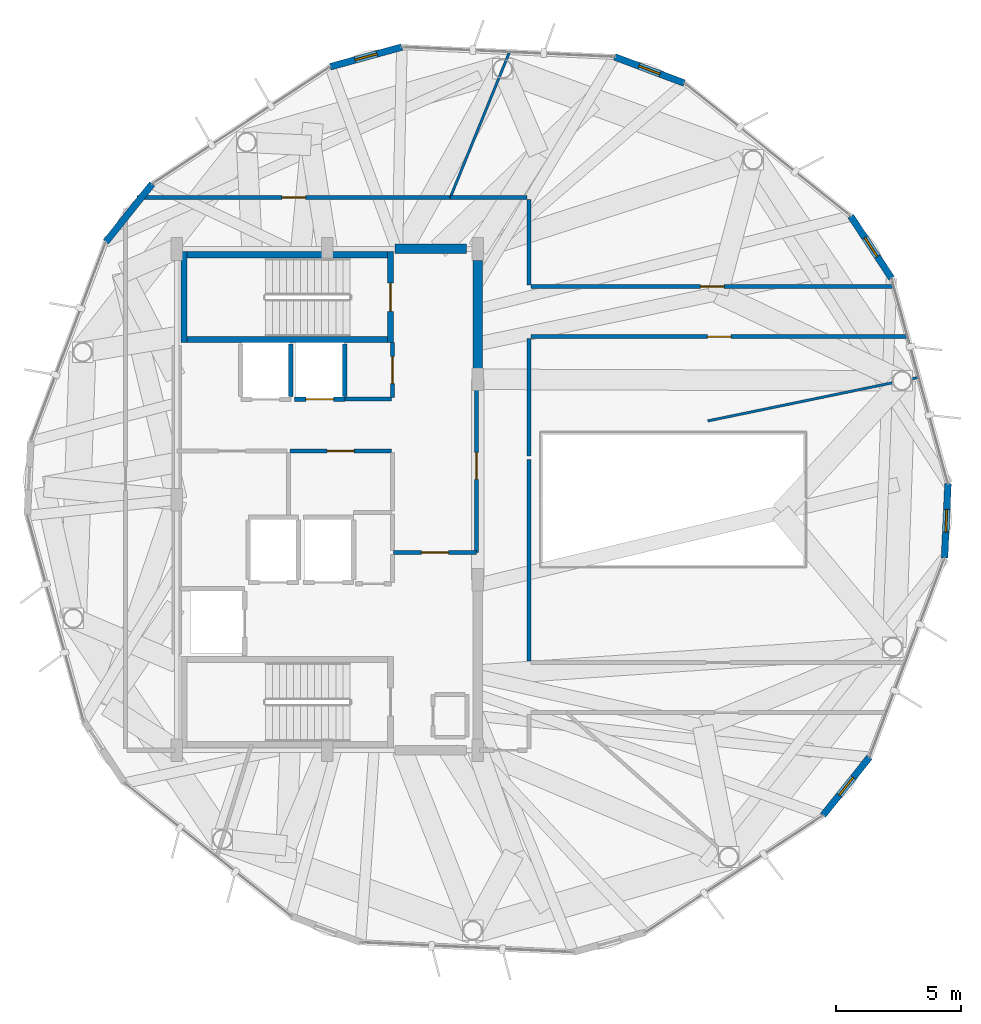
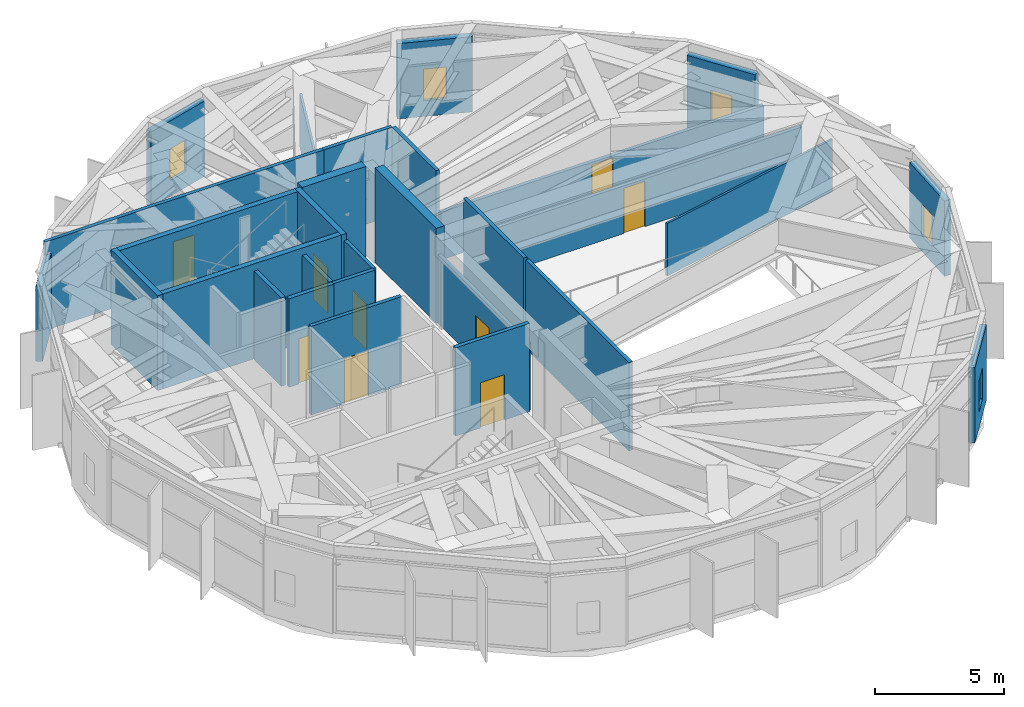
# One storey, part 23 of 27: 29 walls, 9 doors, 5 windows, 14 openings.
"""IFC4 building model written with IfcOpenShell, lengths in metres."""

from ifc_helpers import new_model, si_unit, direction, frame, frame_2d, origin, place, context, subcontext, project, spatial, rectangle, extrude, material, layer, layer_set, type_object, element, fill, save


model = new_model("IFC4")

# Units and contexts
model_context = context("Model", 3, precision=1e-05, world=origin(), true_north=direction((0.0, 1.0)))
body_context = subcontext(model_context, "Body", "Model", "MODEL_VIEW")
ifc_project = project(units=[si_unit("LENGTHUNIT", "METRE"), si_unit("AREAUNIT", "SQUARE_METRE"), si_unit("VOLUMEUNIT", "CUBIC_METRE"), si_unit("PLANEANGLEUNIT", "RADIAN"), si_unit("MASSUNIT", "GRAM", prefix="KILO")], contexts=[model_context])

# Site, building, storey
site_placement = place(None, origin())
site = spatial("IfcSite", under=ifc_project, at=site_placement, CompositionType="ELEMENT")
building_placement = place(site_placement, origin())
building = spatial("IfcBuilding", under=site, at=building_placement, Name="Soratama Intermodal Tower", CompositionType="ELEMENT")
storey_placement = place(building_placement, frame((0.0, 0.0, 288.550048828125)))
storey = spatial("IfcBuildingStorey", under=building, at=storey_placement, Name="L73", CompositionType="ELEMENT", Elevation=288.550048828125)

# Wall, opening, window
ifc_material_1 = material(Name="Concrete f'c 42 MPa", Category="concrete")
ifc_layer_1 = layer(ifc_material_1, 0.27001953125)
ifc_layer_set_1 = layer_set([ifc_layer_1], Name="Concrete f'c 42 MPa")
wall_type_1 = type_object("IfcWallType", Name="EW-CRN-270", PredefinedType="SOLIDWALL", material=ifc_layer_set_1)
wall_1_placement = place(storey_placement, frame((41.578125, 43.056640625, 0.0), z_axis=(0.0, 0.0, 1.0), x_axis=(-0.964272165629, -0.264913553056, 0.0)))
wall_1 = element("IfcWall", 1, at=wall_1_placement, inside=storey, type_object=wall_type_1, Name="L73 Corner Closure Wall 01", PredefinedType="SOLIDWALL", context=body_context, shape_type="SweptSolid", body=[
    extrude(rectangle(XDim=2.966552734375, YDim=0.27001953125, at=frame_2d((1.4833984375, 0.0))), origin(), (0.0, 0.0, 1.0), 3.573974609375),
])
opening_1_placement = place(wall_1_placement, frame((1.033203125, 0.0, 0.75)))
opening_1 = element("IfcOpeningElement", 2, at=opening_1_placement, cuts=wall_1, Name="Opening WN-6", PredefinedType="OPENING", context=body_context, shape_type="SweptSolid", body=[
    extrude(rectangle(XDim=0.89990234375, YDim=1.5, at=frame_2d((0.449951171875, 0.75))), frame((0.0, 0.14501953125, 0.0), z_axis=(0.0, -1.0, 0.0), x_axis=(1.0, 0.0, 0.0)), (0.0, 0.0, 1.0), 0.2900390625),
])
ifc_material_2 = material(Name="Double-glazed aluminium window", Category="aluminium")
window_type = type_object("IfcWindowType", Name="WN-FAC-900", PartitioningType="SINGLE_PANEL", PredefinedType="WINDOW", material=ifc_material_2)
window_1_placement = place(opening_1_placement, origin())
window_1 = element("IfcWindow", 3, at=window_1_placement, inside=storey, type_object=window_type, Name="L73 Corner Window 01", OverallHeight=1.5, OverallWidth=0.89990234375, PartitioningType="SINGLE_PANEL", PredefinedType="WINDOW", context=body_context, shape_type="SweptSolid", body=[
    extrude(rectangle(XDim=0.89990234375, YDim=1.5, at=frame_2d((0.449951171875, 0.75))), frame((0.0, 0.030029296875, 0.0), z_axis=(0.0, -1.0, 0.0), x_axis=(1.0, 0.0, 0.0)), (0.0, 0.0, 1.0), 0.06005859375),
])
fill(opening_1, window_1)

# Wall
wall_2_placement = place(storey_placement, frame((31.6181640625, 37.5966796875, 0.0), z_axis=(0.0, 0.0, 1.0), x_axis=(-0.624444087009, -0.781069511759, 0.0)))
element("IfcWall", 4, at=wall_2_placement, inside=storey, type_object=wall_type_1, Name="L73 Corner Closure Wall 02", PredefinedType="SOLIDWALL", context=body_context, shape_type="SweptSolid", body=[
    extrude(rectangle(XDim=2.96630859375, YDim=0.27001953125, at=frame_2d((1.483154296875, 0.0))), origin(), (0.0, 0.0, 1.0), 3.573974609375),
])

# Wall, opening, window
wall_3_placement = place(storey_placement, frame((58.3818359375, 12.4033203125, 0.0), z_axis=(0.0, 0.0, 1.0), x_axis=(0.624444087009, 0.781069511759, 0.0)))
wall_3 = element("IfcWall", 5, at=wall_3_placement, inside=storey, type_object=wall_type_1, Name="L73 Corner Closure Wall 07", PredefinedType="SOLIDWALL", context=body_context, shape_type="SweptSolid", body=[
    extrude(rectangle(XDim=2.96630859375, YDim=0.27001953125, at=frame_2d((1.483154296875, 0.0))), origin(), (0.0, 0.0, 1.0), 3.573974609375),
])
opening_2_placement = place(wall_3_placement, frame((1.033203125, 0.0, 0.75)))
opening_2 = element("IfcOpeningElement", 6, at=opening_2_placement, cuts=wall_3, Name="Opening WN-6", PredefinedType="OPENING", context=body_context, shape_type="SweptSolid", body=[
    extrude(rectangle(XDim=0.89990234375, YDim=1.5, at=frame_2d((0.449951171875, 0.75))), frame((0.0, 0.14501953125, 0.0), z_axis=(0.0, -1.0, 0.0), x_axis=(1.0, 0.0, 0.0)), (0.0, 0.0, 1.0), 0.2900390625),
])
window_2_placement = place(opening_2_placement, origin())
window_2 = element("IfcWindow", 7, at=window_2_placement, inside=storey, type_object=window_type, Name="L73 Corner Window 07", OverallHeight=1.5, OverallWidth=0.89990234375, PartitioningType="SINGLE_PANEL", PredefinedType="WINDOW", context=body_context, shape_type="SweptSolid", body=[
    extrude(rectangle(XDim=0.89990234375, YDim=1.5, at=frame_2d((0.449951171875, 0.75))), frame((0.0, 0.030029296875, 0.0), z_axis=(0.0, -1.0, 0.0), x_axis=(1.0, 0.0, 0.0)), (0.0, 0.0, 1.0), 0.06005859375),
])
fill(opening_2, window_2)

wall_4_placement = place(storey_placement, frame((63.230224609375, 22.674560546875, 0.0), z_axis=(0.0, 0.0, 1.0), x_axis=(0.046087078481, 0.998937426067, 0.0)))
wall_4 = element("IfcWall", 8, at=wall_4_placement, inside=storey, type_object=wall_type_1, Name="L73 Corner Closure Wall 08", PredefinedType="SOLIDWALL", context=body_context, shape_type="SweptSolid", body=[
    extrude(rectangle(XDim=2.966552734375, YDim=0.27001953125, at=frame_2d((1.4833984375, 0.0))), origin(), (0.0, 0.0, 1.0), 3.573974609375),
])
opening_3_placement = place(wall_4_placement, frame((1.033203125, 0.0, 0.75)))
opening_3 = element("IfcOpeningElement", 9, at=opening_3_placement, cuts=wall_4, Name="Opening WN-6", PredefinedType="OPENING", context=body_context, shape_type="SweptSolid", body=[
    extrude(rectangle(XDim=0.89990234375, YDim=1.5, at=frame_2d((0.449951171875, 0.75))), frame((0.0, 0.14501953125, 0.0), z_axis=(0.0, -1.0, 0.0), x_axis=(1.0, 0.0, 0.0)), (0.0, 0.0, 1.0), 0.2900390625),
])
window_3_placement = place(opening_3_placement, origin())
window_3 = element("IfcWindow", 10, at=window_3_placement, inside=storey, type_object=window_type, Name="L73 Corner Window 08", OverallHeight=1.5, OverallWidth=0.89990234375, PartitioningType="SINGLE_PANEL", PredefinedType="WINDOW", context=body_context, shape_type="SweptSolid", body=[
    extrude(rectangle(XDim=0.89990234375, YDim=1.5, at=frame_2d((0.449951171875, 0.75))), frame((0.0, 0.030029296875, 0.0), z_axis=(0.0, -1.0, 0.0), x_axis=(1.0, 0.0, 0.0)), (0.0, 0.0, 1.0), 0.06005859375),
])
fill(opening_3, window_3)

wall_5_placement = place(storey_placement, frame((61.115478515625, 33.834228515625, 0.0), z_axis=(0.0, 0.0, 1.0), x_axis=(-0.549905162687, 0.835227102081, 0.0)))
wall_5 = element("IfcWall", 11, at=wall_5_placement, inside=storey, type_object=wall_type_1, Name="L73 Corner Closure Wall 09", PredefinedType="SOLIDWALL", context=body_context, shape_type="SweptSolid", body=[
    extrude(rectangle(XDim=2.966552734375, YDim=0.27001953125, at=frame_2d((1.4833984375, 0.0))), origin(), (0.0, 0.0, 1.0), 3.573974609375),
])
opening_4_placement = place(wall_5_placement, frame((1.033203125, 0.0, 0.75)))
opening_4 = element("IfcOpeningElement", 12, at=opening_4_placement, cuts=wall_5, Name="Opening WN-6", PredefinedType="OPENING", context=body_context, shape_type="SweptSolid", body=[
    extrude(rectangle(XDim=0.89990234375, YDim=1.5, at=frame_2d((0.449951171875, 0.75))), frame((0.0, 0.14501953125, 0.0), z_axis=(0.0, -1.0, 0.0), x_axis=(1.0, 0.0, 0.0)), (0.0, 0.0, 1.0), 0.2900390625),
])
window_4_placement = place(opening_4_placement, origin())
window_4 = element("IfcWindow", 13, at=window_4_placement, inside=storey, type_object=window_type, Name="L73 Corner Window 09", OverallHeight=1.5, OverallWidth=0.89990234375, PartitioningType="SINGLE_PANEL", PredefinedType="WINDOW", context=body_context, shape_type="SweptSolid", body=[
    extrude(rectangle(XDim=0.89990234375, YDim=1.5, at=frame_2d((0.449951171875, 0.75))), frame((0.0, 0.030029296875, 0.0), z_axis=(0.0, -1.0, 0.0), x_axis=(1.0, 0.0, 0.0)), (0.0, 0.0, 1.0), 0.06005859375),
])
fill(opening_4, window_4)

wall_6_placement = place(storey_placement, frame((52.84521484375, 41.619384765625, 0.0), z_axis=(0.0, 0.0, 1.0), x_axis=(-0.935827708893, 0.352457797853, 0.0)))
wall_6 = element("IfcWall", 14, at=wall_6_placement, inside=storey, type_object=wall_type_1, Name="L73 Corner Closure Wall 10", PredefinedType="SOLIDWALL", context=body_context, shape_type="SweptSolid", body=[
    extrude(rectangle(XDim=2.966796875, YDim=0.27001953125, at=frame_2d((1.4833984375, 0.0))), origin(), (0.0, 0.0, 1.0), 3.573974609375),
])
opening_5_placement = place(wall_6_placement, frame((1.033203125, 0.0, 0.75)))
opening_5 = element("IfcOpeningElement", 15, at=opening_5_placement, cuts=wall_6, Name="Opening WN-6", PredefinedType="OPENING", context=body_context, shape_type="SweptSolid", body=[
    extrude(rectangle(XDim=0.89990234375, YDim=1.5, at=frame_2d((0.449951171875, 0.75))), frame((0.0, 0.14501953125, 0.0), z_axis=(0.0, -1.0, 0.0), x_axis=(1.0, 0.0, 0.0)), (0.0, 0.0, 1.0), 0.2900390625),
])
window_5_placement = place(opening_5_placement, origin())
window_5 = element("IfcWindow", 16, at=window_5_placement, inside=storey, type_object=window_type, Name="L73 Corner Window 10", OverallHeight=1.5, OverallWidth=0.89990234375, PartitioningType="SINGLE_PANEL", PredefinedType="WINDOW", context=body_context, shape_type="SweptSolid", body=[
    extrude(rectangle(XDim=0.89990234375, YDim=1.5, at=frame_2d((0.449951171875, 0.75))), frame((0.0, 0.030029296875, 0.0), z_axis=(0.0, -1.0, 0.0), x_axis=(1.0, 0.0, 0.0)), (0.0, 0.0, 1.0), 0.06005859375),
])
fill(opening_5, window_5)

# Wall, opening, door
ifc_material_3 = material(Name="Fire-rated gypsum stud partition", Category="concrete")
ifc_layer_2 = layer(ifc_material_3, 0.159912109375)
ifc_layer_set_2 = layer_set([ifc_layer_2], Name="Fire-rated gypsum stud partition")
wall_type_2 = type_object("IfcWallType", Name="IW-PART-R160", PredefinedType="PARTITIONING", material=ifc_layer_set_2)
wall_7_placement = place(storey_placement, frame((61.757080078125, 31.5, 0.0), z_axis=(0.0, 0.0, 1.0), x_axis=(-1.0, 0.0, 0.0)))
wall_7 = element("IfcWall", 17, at=wall_7_placement, inside=storey, type_object=wall_type_2, Name="L73 Partition W-L73-TP002", PredefinedType="PARTITIONING", context=body_context, shape_type="SweptSolid", body=[
    extrude(rectangle(XDim=15.037109375, YDim=0.159912109375, at=frame_2d((7.5185546875, 0.0))), origin(), (0.0, 0.0, 1.0), 2.264892578125),
])
opening_6_placement = place(wall_7_placement, frame((7.04296875, 0.0, 0.0)))
opening_6 = element("IfcOpeningElement", 18, at=opening_6_placement, cuts=wall_7, Name="Opening ID-3", PredefinedType="OPENING", context=body_context, shape_type="SweptSolid", body=[
    extrude(rectangle(XDim=0.949951171875, YDim=2.14990234375, at=frame_2d((0.47509765625, 1.074951171875))), frame((0.0, 0.08984375, 0.0), z_axis=(0.0, -1.0, 0.0), x_axis=(1.0, 0.0, 0.0)), (0.0, 0.0, 1.0), 0.179931640625),
])
ifc_material_4 = material(Name="Solid hardwood acoustic door", Category="wood")
door_type_1 = type_object("IfcDoorType", Name="DR-ROOM-950", OperationType="NOTDEFINED", PredefinedType="DOOR", material=ifc_material_4)
door_1_placement = place(opening_6_placement, origin())
door_1 = element("IfcDoor", 19, at=door_1_placement, inside=storey, type_object=door_type_1, Name="L73 Door D-L73-TP002", OperationType="SINGLE_SWING_LEFT", OverallHeight=2.14990234375, OverallWidth=0.949951171875, PredefinedType="DOOR", context=body_context, shape_type="SweptSolid", body=[
    extrude(rectangle(XDim=0.949951171875, YDim=2.14990234375, at=frame_2d((0.47509765625, 1.074951171875))), frame((0.0, 0.02490234375, 0.0), z_axis=(0.0, -1.0, 0.0), x_axis=(1.0, 0.0, 0.0)), (0.0, 0.0, 1.0), 0.050048828125),
])
fill(opening_6, door_1)

wall_8_placement = place(storey_placement, frame((46.719970703125, 33.5, 0.0), z_axis=(0.0, 0.0, 1.0), x_axis=(1.0, 0.0, 0.0)))
wall_8 = element("IfcWall", 20, at=wall_8_placement, inside=storey, type_object=wall_type_2, Name="L73 Partition W-L73-TP004", PredefinedType="PARTITIONING", context=body_context, shape_type="SweptSolid", body=[
    extrude(rectangle(XDim=14.487060546875, YDim=0.159912109375, at=frame_2d((7.24365234375, 0.0))), origin(), (0.0, 0.0, 1.0), 2.264892578125),
])
opening_7_placement = place(wall_8_placement, frame((6.76904296875, 0.0, 0.0)))
opening_7 = element("IfcOpeningElement", 21, at=opening_7_placement, cuts=wall_8, Name="Opening ID-3", PredefinedType="OPENING", context=body_context, shape_type="SweptSolid", body=[
    extrude(rectangle(XDim=0.949951171875, YDim=2.14990234375, at=frame_2d((0.47509765625, 1.074951171875))), frame((0.0, 0.08984375, 0.0), z_axis=(0.0, -1.0, 0.0), x_axis=(1.0, 0.0, 0.0)), (0.0, 0.0, 1.0), 0.179931640625),
])
door_2_placement = place(opening_7_placement, origin())
door_2 = element("IfcDoor", 22, at=door_2_placement, inside=storey, type_object=door_type_1, Name="L73 Door D-L73-TP004", OperationType="SINGLE_SWING_LEFT", OverallHeight=2.14990234375, OverallWidth=0.949951171875, PredefinedType="DOOR", context=body_context, shape_type="SweptSolid", body=[
    extrude(rectangle(XDim=0.949951171875, YDim=2.14990234375, at=frame_2d((0.47509765625, 1.074951171875))), frame((0.0, 0.02490234375, 0.0), z_axis=(0.0, -1.0, 0.0), x_axis=(1.0, 0.0, 0.0)), (0.0, 0.0, 1.0), 0.050048828125),
])
fill(opening_7, door_2)

wall_9_placement = place(storey_placement, frame((31.01904296875, 37.050048828125, 0.0), z_axis=(0.0, 0.0, 1.0), x_axis=(1.0, 0.0, 0.0)))
wall_9 = element("IfcWall", 23, at=wall_9_placement, inside=storey, type_object=wall_type_2, Name="L73 Partition W-L73-TP006", PredefinedType="PARTITIONING", context=body_context, shape_type="SweptSolid", body=[
    extrude(rectangle(XDim=12.489013671875, YDim=0.159912109375, at=frame_2d((6.24462890625, 0.0))), origin(), (0.0, 0.0, 1.0), 4.195068359375),
])
opening_8_placement = place(wall_9_placement, frame((5.77001953125, 0.0, 0.0)))
opening_8 = element("IfcOpeningElement", 24, at=opening_8_placement, cuts=wall_9, Name="Opening ID-3", PredefinedType="OPENING", context=body_context, shape_type="SweptSolid", body=[
    extrude(rectangle(XDim=0.949951171875, YDim=2.14990234375, at=frame_2d((0.47509765625, 1.074951171875))), frame((0.0, 0.08984375, 0.0), z_axis=(0.0, -1.0, 0.0), x_axis=(1.0, 0.0, 0.0)), (0.0, 0.0, 1.0), 0.179931640625),
])
door_3_placement = place(opening_8_placement, origin())
door_3 = element("IfcDoor", 25, at=door_3_placement, inside=storey, type_object=door_type_1, Name="L73 Door D-L73-TP006", OperationType="SINGLE_SWING_LEFT", OverallHeight=2.14990234375, OverallWidth=0.949951171875, PredefinedType="DOOR", context=body_context, shape_type="SweptSolid", body=[
    extrude(rectangle(XDim=0.949951171875, YDim=2.14990234375, at=frame_2d((0.47509765625, 1.074951171875))), frame((0.0, 0.02490234375, 0.0), z_axis=(0.0, -1.0, 0.0), x_axis=(1.0, 0.0, 0.0)), (0.0, 0.0, 1.0), 0.050048828125),
])
fill(opening_8, door_3)

# Wall
wall_10_placement = place(storey_placement, frame((46.64990234375, 26.60693359375, 0.0), z_axis=(0.0, 0.0, 1.0), x_axis=(0.0, -1.0, 0.0)))
element("IfcWall", 26, at=wall_10_placement, inside=storey, type_object=wall_type_2, Name="L73 Partition W-L73-TP008", PredefinedType="PARTITIONING", context=body_context, shape_type="SweptSolid", body=[
    extrude(rectangle(XDim=8.036865234375, YDim=0.159912109375, at=frame_2d((4.0185546875, 0.0))), origin(), (0.0, 0.0, 1.0), 4.195068359375),
])

# Wall, opening, door
wall_11_placement = place(storey_placement, frame((44.56005859375, 29.800048828125, 0.0), z_axis=(0.0, 0.0, 1.0), x_axis=(0.0, -1.0, 0.0)))
wall_11 = element("IfcWall", 27, at=wall_11_placement, inside=storey, type_object=wall_type_2, Name="L73 Partition W-L73-TP009", PredefinedType="PARTITIONING", context=body_context, shape_type="SweptSolid", body=[
    extrude(rectangle(XDim=6.91015625, YDim=0.159912109375, at=frame_2d((3.455078125, 0.0))), origin(), (0.0, 0.0, 1.0), 3.23486328125),
])
opening_9_placement = place(wall_11_placement, frame((2.9150390625, 0.0, 0.0)))
opening_9 = element("IfcOpeningElement", 28, at=opening_9_placement, cuts=wall_11, Name="Opening ID-1", PredefinedType="OPENING", context=body_context, shape_type="SweptSolid", body=[
    extrude(rectangle(XDim=1.080078125, YDim=2.14990234375, at=frame_2d((0.5400390625, 1.074951171875))), frame((0.0, 0.08984375, 0.0), z_axis=(0.0, -1.0, 0.0), x_axis=(1.0, 0.0, 0.0)), (0.0, 0.0, 1.0), 0.179931640625),
])
ifc_material_5 = material(Name="Solid hardwood acoustic door", Category="wood")
door_type_2 = type_object("IfcDoorType", Name="DR-LOB-FD60", OperationType="NOTDEFINED", PredefinedType="DOOR", material=ifc_material_5)
door_4_placement = place(opening_9_placement, origin())
door_4 = element("IfcDoor", 29, at=door_4_placement, inside=storey, type_object=door_type_2, Name="L73 Door D-L73-TP007", OperationType="SINGLE_SWING_RIGHT", OverallHeight=2.14990234375, OverallWidth=1.080078125, PredefinedType="DOOR", context=body_context, shape_type="SweptSolid", body=[
    extrude(rectangle(XDim=1.080078125, YDim=2.14990234375, at=frame_2d((0.5400390625, 1.074951171875))), frame((0.0, 0.02490234375, 0.0), z_axis=(0.0, -1.0, 0.0), x_axis=(1.0, 0.0, 0.0)), (0.0, 0.0, 1.0), 0.050048828125),
])
fill(opening_9, door_4)

# Wall
wall_12_placement = place(storey_placement, frame((46.64990234375, 31.429931640625, 0.0), z_axis=(0.0, 0.0, 1.0), x_axis=(0.0, -1.0, 0.0)))
element("IfcWall", 30, at=wall_12_placement, inside=storey, type_object=wall_type_2, Name="L73 Partition W-L73-TP012", PredefinedType="PARTITIONING", context=body_context, shape_type="SweptSolid", body=[
    extrude(rectangle(XDim=4.679931640625, YDim=0.159912109375, at=frame_2d((2.33984375, 0.0))), origin(), (0.0, 0.0, 1.0), 4.195068359375),
])

# Wall, opening, door
wall_13_placement = place(storey_placement, frame((41.159912109375, 26.93994140625, 0.0), z_axis=(0.0, 0.0, 1.0), x_axis=(-1.0, 0.0, 0.0)))
wall_13 = element("IfcWall", 31, at=wall_13_placement, inside=storey, type_object=wall_type_2, Name="L73 Partition W-L73-TP014", PredefinedType="PARTITIONING", context=body_context, shape_type="SweptSolid", body=[
    extrude(rectangle(XDim=4.0498046875, YDim=0.159912109375, at=frame_2d((2.02490234375, 0.0))), origin(), (0.0, 0.0, 1.0), 4.195068359375),
])
opening_10_placement = place(wall_13_placement, frame((1.485107421875, 0.0, 0.0)))
opening_10 = element("IfcOpeningElement", 32, at=opening_10_placement, cuts=wall_13, Name="Opening ID-1", PredefinedType="OPENING", context=body_context, shape_type="SweptSolid", body=[
    extrude(rectangle(XDim=1.080078125, YDim=2.14990234375, at=frame_2d((0.5400390625, 1.074951171875))), frame((0.0, 0.08984375, 0.0), z_axis=(0.0, -1.0, 0.0), x_axis=(1.0, 0.0, 0.0)), (0.0, 0.0, 1.0), 0.179931640625),
])
door_5_placement = place(opening_10_placement, origin())
door_5 = element("IfcDoor", 33, at=door_5_placement, inside=storey, type_object=door_type_2, Name="L73 Door D-L73-TP009", OperationType="SINGLE_SWING_RIGHT", OverallHeight=2.14990234375, OverallWidth=1.080078125, PredefinedType="DOOR", context=body_context, shape_type="SweptSolid", body=[
    extrude(rectangle(XDim=1.080078125, YDim=2.14990234375, at=frame_2d((0.5400390625, 1.074951171875))), frame((0.0, 0.02490234375, 0.0), z_axis=(0.0, -1.0, 0.0), x_axis=(1.0, 0.0, 0.0)), (0.0, 0.0, 1.0), 0.050048828125),
])
fill(opening_10, door_5)

# Walls
wall_14_placement = place(storey_placement, frame((46.64990234375, 36.97998046875, 0.0), z_axis=(0.0, 0.0, 1.0), x_axis=(0.0, -1.0, 0.0)))
element("IfcWall", 34, at=wall_14_placement, inside=storey, type_object=wall_type_2, Name="L73 Partition W-L73-TP015", PredefinedType="PARTITIONING", context=body_context, shape_type="SweptSolid", body=[
    extrude(rectangle(XDim=3.409912109375, YDim=0.159912109375, at=frame_2d((1.705078125, 0.0))), origin(), (0.0, 0.0, 1.0), 4.195068359375),
])
wall_15_placement = place(storey_placement, frame((43.508056640625, 37.050048828125, 0.0), z_axis=(0.0, 0.0, 1.0), x_axis=(1.0, 0.0, 0.0)))
element("IfcWall", 35, at=wall_15_placement, inside=storey, type_object=wall_type_2, Name="L73 Partition W-L73-TP017", PredefinedType="PARTITIONING", context=body_context, shape_type="SweptSolid", body=[
    extrude(rectangle(XDim=3.072021484375, YDim=0.159912109375, at=frame_2d((1.5361328125, 0.0))), origin(), (0.0, 0.0, 1.0), 4.195068359375),
])

# Wall, opening, door
wall_16_placement = place(storey_placement, frame((41.199951171875, 29.070068359375, 0.0), z_axis=(0.0, 0.0, 1.0), x_axis=(0.0, 1.0, 0.0)))
wall_16 = element("IfcWall", 36, at=wall_16_placement, inside=storey, type_object=wall_type_2, Name="L73 Partition W-L73-TP020", PredefinedType="PARTITIONING", context=body_context, shape_type="SweptSolid", body=[
    extrude(rectangle(XDim=2.18994140625, YDim=0.159912109375, at=frame_2d((1.094970703125, 0.0))), origin(), (0.0, 0.0, 1.0), 4.195068359375),
])
opening_11_placement = place(wall_16_placement, frame((0.554931640625, 0.0, 0.0)))
opening_11 = element("IfcOpeningElement", 37, at=opening_11_placement, cuts=wall_16, Name="Opening ID-1", PredefinedType="OPENING", context=body_context, shape_type="SweptSolid", body=[
    extrude(rectangle(XDim=1.080078125, YDim=2.14990234375, at=frame_2d((0.5400390625, 1.074951171875))), frame((0.0, 0.08984375, 0.0), z_axis=(0.0, -1.0, 0.0), x_axis=(1.0, 0.0, 0.0)), (0.0, 0.0, 1.0), 0.179931640625),
])
door_6_placement = place(opening_11_placement, origin())
door_6 = element("IfcDoor", 38, at=door_6_placement, inside=storey, type_object=door_type_2, Name="L73 Door D-L73-TP011", OperationType="SINGLE_SWING_RIGHT", OverallHeight=2.14990234375, OverallWidth=1.080078125, PredefinedType="DOOR", context=body_context, shape_type="SweptSolid", body=[
    extrude(rectangle(XDim=1.080078125, YDim=2.14990234375, at=frame_2d((0.5400390625, 1.074951171875))), frame((0.0, 0.02490234375, 0.0), z_axis=(0.0, -1.0, 0.0), x_axis=(1.0, 0.0, 0.0)), (0.0, 0.0, 1.0), 0.050048828125),
])
fill(opening_11, door_6)

# Wall
wall_17_placement = place(storey_placement, frame((39.300048828125, 29.010009765625, 0.0), z_axis=(0.0, 0.0, 1.0), x_axis=(1.0, 0.0, 0.0)))
element("IfcWall", 39, at=wall_17_placement, inside=storey, type_object=wall_type_2, Name="L73 Partition W-L73-TP023", PredefinedType="PARTITIONING", context=body_context, shape_type="SweptSolid", body=[
    extrude(rectangle(XDim=1.85986328125, YDim=0.159912109375, at=frame_2d((0.929931640625, 0.0))), origin(), (0.0, 0.0, 1.0), 4.195068359375),
])

# Wall, opening, door
ifc_material_6 = material(Name="Fire-rated gypsum stud partition", Category="concrete")
ifc_layer_3 = layer(ifc_material_6, 0.169921875)
ifc_layer_set_3 = layer_set([ifc_layer_3], Name="Fire-rated gypsum stud partition")
wall_type_3 = type_object("IfcWallType", Name="IW-PART-R170", PredefinedType="PARTITIONING", material=ifc_layer_set_3)
wall_18_placement = place(storey_placement, frame((41.239990234375, 22.889892578125, 0.0), z_axis=(0.0, 0.0, 1.0), x_axis=(1.0, 0.0, 0.0)))
wall_18 = element("IfcWall", 40, at=wall_18_placement, inside=storey, type_object=wall_type_3, Name="L73 Partition W-L73-TP016", PredefinedType="PARTITIONING", context=body_context, shape_type="SweptSolid", body=[
    extrude(rectangle(XDim=3.320068359375, YDim=0.169921875, at=frame_2d((1.66015625, 0.0))), origin(), (0.0, 0.0, 1.0), 4.195068359375),
])
opening_12_placement = place(wall_18_placement, frame((1.1201171875, 0.0, 0.0)))
opening_12 = element("IfcOpeningElement", 41, at=opening_12_placement, cuts=wall_18, Name="Opening ID-0", PredefinedType="OPENING", context=body_context, shape_type="SweptSolid", body=[
    extrude(rectangle(XDim=1.080078125, YDim=2.14990234375, at=frame_2d((0.5400390625, 1.074951171875))), frame((0.0, 0.094970703125, 0.0), z_axis=(0.0, -1.0, 0.0), x_axis=(1.0, 0.0, 0.0)), (0.0, 0.0, 1.0), 0.18994140625),
])
ifc_material_7 = material(Name="Solid hardwood acoustic door", Category="wood")
door_type_3 = type_object("IfcDoorType", Name="DR-LOB-FD90", OperationType="NOTDEFINED", PredefinedType="DOOR", material=ifc_material_7)
door_7_placement = place(opening_12_placement, origin())
door_7 = element("IfcDoor", 42, at=door_7_placement, inside=storey, type_object=door_type_3, Name="L73 Door D-L73-TP010", OperationType="SINGLE_SWING_LEFT", OverallHeight=2.14990234375, OverallWidth=1.080078125, PredefinedType="DOOR", context=body_context, shape_type="SweptSolid", body=[
    extrude(rectangle(XDim=1.080078125, YDim=2.14990234375, at=frame_2d((0.5400390625, 1.074951171875))), frame((0.0, 0.02490234375, 0.0), z_axis=(0.0, -1.0, 0.0), x_axis=(1.0, 0.0, 0.0)), (0.0, 0.0, 1.0), 0.050048828125),
])
fill(opening_12, door_7)

# Walls
ifc_material_8 = material(Name="Fire-rated gypsum stud partition", Category="concrete")
ifc_layer_4 = layer(ifc_material_8, 0.10009765625)
ifc_layer_set_4 = layer_set([ifc_layer_4], Name="Fire-rated gypsum stud partition")
wall_type_4 = type_object("IfcWallType", Name="IW-PART-S100", PredefinedType="PARTITIONING", material=ifc_layer_set_4)
wall_19_placement = place(storey_placement, frame((43.508056640625, 37.050048828125, 0.0), z_axis=(0.0, 0.0, 1.0), x_axis=(0.37694814958, 0.926234361557, 0.0)))
element("IfcWall", 43, at=wall_19_placement, inside=storey, type_object=wall_type_4, Name="L73 Partition W-L73-TP010", PredefinedType="PARTITIONING", context=body_context, shape_type="SweptSolid", body=[
    extrude(rectangle(XDim=6.271484375, YDim=0.10009765625, at=frame_2d((3.1357421875, 0.0))), origin(), (0.0, 0.0, 1.0), 2.48486328125),
])
wall_20_placement = place(storey_placement, frame((62.201904296875, 29.87890625, 0.0), z_axis=(0.0, 0.0, 1.0), x_axis=(-0.97930798833, -0.202375551868, 0.0)))
element("IfcWall", 44, at=wall_20_placement, inside=storey, type_object=wall_type_4, Name="L73 Partition W-L73-TP030", PredefinedType="PARTITIONING", context=body_context, shape_type="SweptSolid", body=[
    extrude(rectangle(XDim=8.597900390625, YDim=0.10009765625, at=frame_2d((4.298828125, 0.0))), origin(), (0.0, 0.0, 1.0), 2.48486328125),
])
ifc_material_9 = material(Name="Concrete f'c 42 MPa", Category="concrete")
ifc_layer_5 = layer(ifc_material_9, 0.18505859375)
ifc_layer_set_5 = layer_set([ifc_layer_5], Name="Concrete f'c 42 MPa")
wall_type_5 = type_object("IfcWallType", Name="IW-SHAFT-185", PredefinedType="SOLIDWALL", material=ifc_layer_set_5)
wall_21_placement = place(storey_placement, frame((37.14990234375, 29.110107421875, 0.0), z_axis=(0.0, 0.0, 1.0), x_axis=(0.0, 1.0, 0.0)))
element("IfcWall", 45, at=wall_21_placement, inside=storey, type_object=wall_type_5, Name="L73 PL-H1 Hoistway Wall E", PredefinedType="SOLIDWALL", context=body_context, shape_type="SweptSolid", body=[
    extrude(rectangle(XDim=2.099853515625, YDim=0.18505859375, at=frame_2d((1.0498046875, 0.0))), origin(), (0.0, 0.0, 1.0), 4.195068359375),
])

# Wall, opening, door
wall_22_placement = place(storey_placement, frame((37.300048828125, 29.0, 0.0), z_axis=(0.0, 0.0, 1.0), x_axis=(1.0, 0.0, 0.0)))
wall_22 = element("IfcWall", 46, at=wall_22_placement, inside=storey, type_object=wall_type_5, Name="L73 PL-H2 Hoistway Wall S", PredefinedType="SOLIDWALL", context=body_context, shape_type="SweptSolid", body=[
    extrude(rectangle(XDim=2.0, YDim=0.18505859375, at=frame_2d((1.0, 0.0))), origin(), (0.0, 0.0, 1.0), 4.195068359375),
])
opening_13_placement = place(wall_22_placement, frame((0.449951171875, 0.0, 0.0)))
opening_13 = element("IfcOpeningElement", 47, at=opening_13_placement, cuts=wall_22, Name="Opening LD-1", PredefinedType="OPENING", context=body_context, shape_type="SweptSolid", body=[
    extrude(rectangle(XDim=1.10009765625, YDim=2.14990234375, at=frame_2d((0.550048828125, 1.074951171875))), frame((0.0, 0.1025390625, 0.0), z_axis=(0.0, -1.0, 0.0), x_axis=(1.0, 0.0, 0.0)), (0.0, 0.0, 1.0), 0.205078125),
])
ifc_material_10 = material(Name="Steel fire door", Category="steel")
door_type_4 = type_object("IfcDoorType", Name="DR-LIFT-SLIDE", OperationType="NOTDEFINED", PredefinedType="DOOR", material=ifc_material_10)
door_8_placement = place(opening_13_placement, origin())
door_8 = element("IfcDoor", 48, at=door_8_placement, inside=storey, type_object=door_type_4, Name="L73 PL-H2 Sliding Landing Door", OperationType="SLIDING_TO_LEFT", OverallHeight=2.14990234375, OverallWidth=1.10009765625, PredefinedType="DOOR", context=body_context, shape_type="SweptSolid", body=[
    extrude(rectangle(XDim=1.10009765625, YDim=2.14990234375, at=frame_2d((0.550048828125, 1.074951171875))), frame((0.0, 0.02490234375, 0.0), z_axis=(0.0, -1.0, 0.0), x_axis=(1.0, 0.0, 0.0)), (0.0, 0.0, 1.0), 0.050048828125),
])
fill(opening_13, door_8)

# Walls
wall_23_placement = place(storey_placement, frame((39.300048828125, 29.110107421875, 0.0), z_axis=(0.0, 0.0, 1.0), x_axis=(0.0, 1.0, 0.0)))
element("IfcWall", 49, at=wall_23_placement, inside=storey, type_object=wall_type_5, Name="L73 PL-H2 Hoistway Wall E", PredefinedType="SOLIDWALL", context=body_context, shape_type="SweptSolid", body=[
    extrude(rectangle(XDim=2.099853515625, YDim=0.18505859375, at=frame_2d((1.0498046875, 0.0))), origin(), (0.0, 0.0, 1.0), 4.195068359375),
])
ifc_material_11 = material(Name="Concrete f'c 56 MPa", Category="concrete")
ifc_layer_6 = layer(ifc_material_11, 0.3798828125)
ifc_layer_set_6 = layer_set([ifc_layer_6], Name="Concrete f'c 56 MPa")
wall_type_6 = type_object("IfcWallType", Name="SW-CORE-380", PredefinedType="SHEAR", material=ifc_layer_set_6)
wall_24_placement = place(storey_placement, frame((41.300048828125, 35.0, 0.0), z_axis=(0.0, 0.0, 1.0), x_axis=(1.0, 0.0, 0.0)))
element("IfcWall", 50, at=wall_24_placement, inside=storey, type_object=wall_type_6, Name="L73 Core Shear Wall CW-NE", PredefinedType="SHEAR", context=body_context, shape_type="SweptSolid", body=[
    extrude(rectangle(XDim=2.849853515625, YDim=0.3798828125, at=frame_2d((1.4248046875, 0.0))), origin(), (0.0, 0.0, 1.0), 4.5),
])
wall_25_placement = place(storey_placement, frame((44.60009765625, 29.800048828125, 0.0), z_axis=(0.0, 0.0, 1.0), x_axis=(0.0, 1.0, 0.0)))
element("IfcWall", 51, at=wall_25_placement, inside=storey, type_object=wall_type_6, Name="L73 Core Shear Wall CW-EN", PredefinedType="SHEAR", context=body_context, shape_type="SweptSolid", body=[
    extrude(rectangle(XDim=4.75, YDim=0.3798828125, at=frame_2d((2.375, 0.0))), origin(), (0.0, 0.0, 1.0), 4.5),
])
ifc_material_12 = material(Name="Concrete f'c 56 MPa", Category="concrete")
ifc_layer_7 = layer(ifc_material_12, 0.239990234375)
ifc_layer_set_7 = layer_set([ifc_layer_7], Name="Concrete f'c 56 MPa")
wall_type_7 = type_object("IfcWallType", Name="SW-STAIR-240", PredefinedType="SHEAR", material=ifc_layer_set_7)
wall_26_placement = place(storey_placement, frame((32.8798828125, 31.260009765625, 0.0), z_axis=(0.0, 0.0, 1.0), x_axis=(0.0, 1.0, 0.0)))
element("IfcWall", 52, at=wall_26_placement, inside=storey, type_object=wall_type_7, Name="L73 ST-2 Shaft Shear Wall W", PredefinedType="SHEAR", context=body_context, shape_type="SweptSolid", body=[
    extrude(rectangle(XDim=3.6298828125, YDim=0.239990234375, at=frame_2d((1.81494140625, 0.0))), origin(), (0.0, 0.0, 1.0), 4.5),
])

# Wall, opening, door
wall_27_placement = place(storey_placement, frame((41.1201171875, 31.260009765625, 0.0), z_axis=(0.0, 0.0, 1.0), x_axis=(0.0, 1.0, 0.0)))
wall_27 = element("IfcWall", 53, at=wall_27_placement, inside=storey, type_object=wall_type_7, Name="L73 ST-2 Shaft Shear Wall E", PredefinedType="SHEAR", context=body_context, shape_type="SweptSolid", body=[
    extrude(rectangle(XDim=3.6298828125, YDim=0.239990234375, at=frame_2d((1.81494140625, 0.0))), origin(), (0.0, 0.0, 1.0), 4.5),
])
opening_14_placement = place(wall_27_placement, frame((1.2548828125, 0.0, 0.0)))
opening_14 = element("IfcOpeningElement", 54, at=opening_14_placement, cuts=wall_27, Name="Opening SD-1", PredefinedType="OPENING", context=body_context, shape_type="SweptSolid", body=[
    extrude(rectangle(XDim=1.1201171875, YDim=2.14990234375, at=frame_2d((0.56005859375, 1.074951171875))), frame((0.0, 0.1298828125, 0.0), z_axis=(0.0, -1.0, 0.0), x_axis=(1.0, 0.0, 0.0)), (0.0, 0.0, 1.0), 0.260009765625),
])
ifc_material_13 = material(Name="Steel fire door", Category="steel")
door_type_5 = type_object("IfcDoorType", Name="DR-STAIR-FD90", OperationType="NOTDEFINED", PredefinedType="DOOR", material=ifc_material_13)
door_9_placement = place(opening_14_placement, origin())
door_9 = element("IfcDoor", 55, at=door_9_placement, inside=storey, type_object=door_type_5, Name="L73 ST-2 Exit Stair Door", OperationType="SINGLE_SWING_RIGHT", OverallHeight=2.14990234375, OverallWidth=1.1201171875, PredefinedType="DOOR", context=body_context, shape_type="SweptSolid", body=[
    extrude(rectangle(XDim=1.1201171875, YDim=2.14990234375, at=frame_2d((0.56005859375, 1.074951171875))), frame((0.0, 0.02490234375, 0.0), z_axis=(0.0, -1.0, 0.0), x_axis=(1.0, 0.0, 0.0)), (0.0, 0.0, 1.0), 0.050048828125),
])
fill(opening_14, door_9)

# Walls
for number, where, z_axis, x_axis, name in (
    (56, (33.0, 31.3798828125, 0.0), (0.0, 0.0, 1.0), (1.0, 0.0, 0.0), "L73 ST-2 Shaft Shear Wall S"),
    (57, (33.0, 34.77001953125, 0.0), (0.0, 0.0, 1.0), (1.0, 0.0, 0.0), "L73 ST-2 Shaft Shear Wall N"),
):
    element("IfcWall", number, at=place(storey_placement, frame(where, z_axis=z_axis, x_axis=x_axis)), inside=storey, type_object=wall_type_7, Name=name, PredefinedType="SHEAR", context=body_context, shape_type="SweptSolid", body=[
        extrude(rectangle(XDim=8.0, YDim=0.239990234375, at=frame_2d((4.0, 0.0))), origin(), (0.0, 0.0, 1.0), 4.5),
    ])

save(model, "model.ifc")
